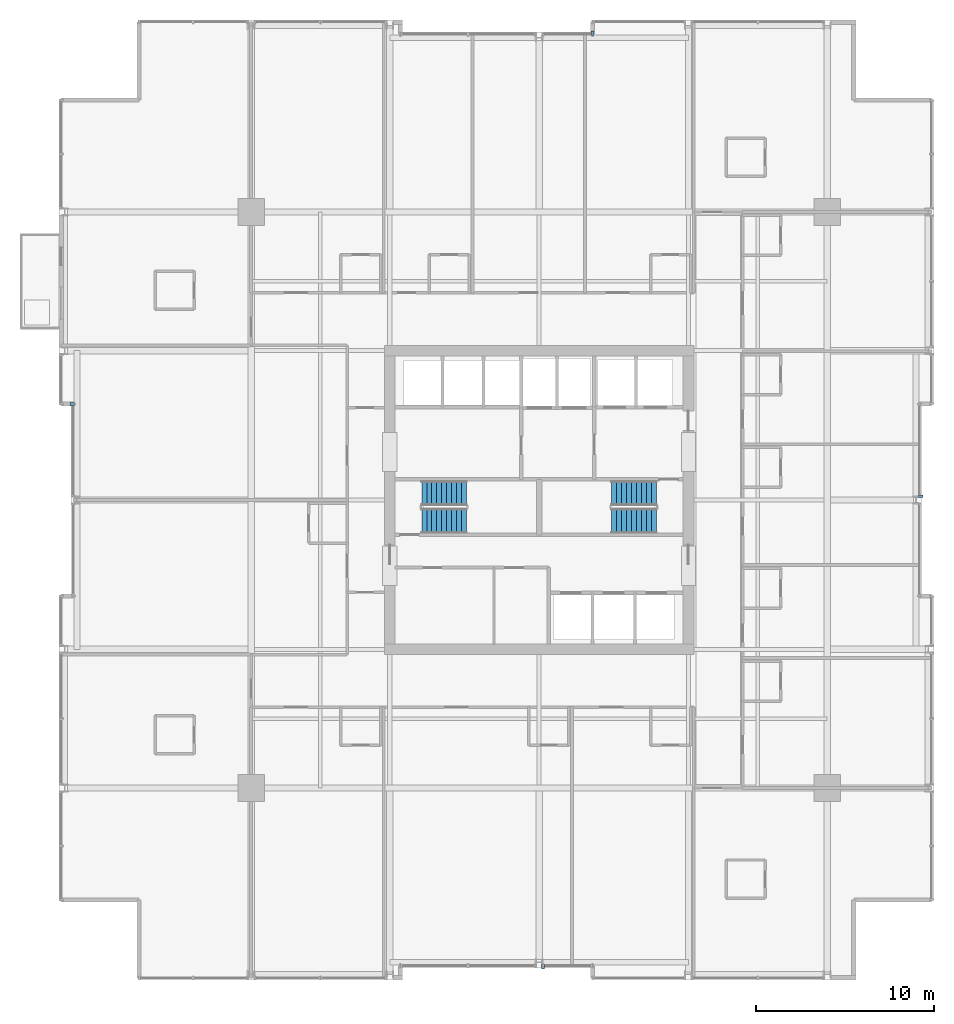
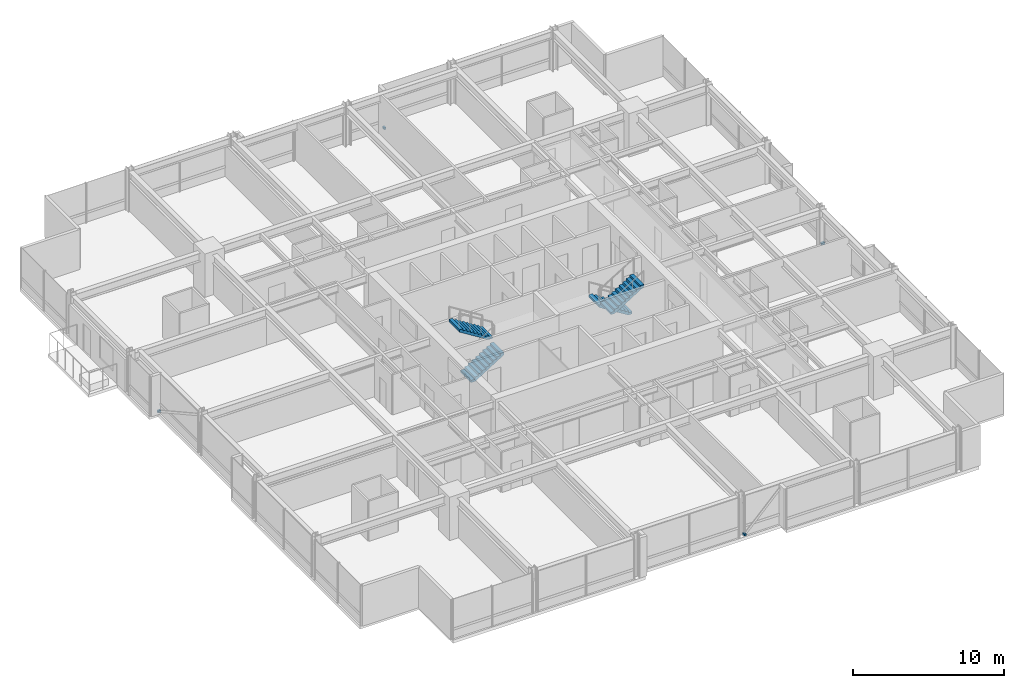
# One storey, part 32 of 35: 4 discrete accessories, 4 stair flights, 2 elements without a shape of their own.
"""IFC4 building model written with IfcOpenShell, lengths in metres."""

import ifcopenshell
import ifcopenshell.guid

model = None  # the IFC model being written
_history = None  # IfcOwnerHistory: only IFC2X3 demands one
_inside = {}  # id of a spatial element -> (the spatial element, [elements in it])
_under = {}  # id of a project, library or spatial element -> (it, [spatial elements below it])
_declared = {}  # id of a project -> (the project, [libraries it declares])
_typed = {}  # id of a type object -> (the type object, [elements of that type])
_made_of = {}  # id of a material, layer set ... -> (it, [elements and type objects made of it])


def new_model(schema):
    """Start an empty IFC model of exactly this schema.

    Asked for "IFC4X3", IfcOpenShell would pick the latest addendum, in which some entities
    have other attributes; the version numbers below select the first issue.
    IFC2X3 requires an IfcOwnerHistory on every rooted entity: one is made here for all.
    """
    global model, _history
    if schema == "IFC4X3":
        model = ifcopenshell.file(schema_version=(4, 3, 0, 0))
    else:
        model = ifcopenshell.file(schema=schema)
    _inside.clear()
    _under.clear()
    _declared.clear()
    _typed.clear()
    _made_of.clear()
    _history = None
    if model.schema == "IFC2X3":
        org = make("IfcOrganization", Name="unknown")
        user = make(
            "IfcPersonAndOrganization",
            ThePerson=make("IfcPerson", FamilyName="unknown"),
            TheOrganization=org,
        )
        app = make(
            "IfcApplication",
            ApplicationDeveloper=org,
            Version="unknown",
            ApplicationFullName="unknown",
            ApplicationIdentifier="unknown",
        )
        _history = make(
            "IfcOwnerHistory",
            OwningUser=user,
            OwningApplication=app,
            ChangeAction="ADDED",
            CreationDate=0,
        )
    return model


def make(cls, **values):
    """One entity of the class cls with the attributes given. An attribute that is None is left unset."""
    return model.create_entity(
        cls, **{name: value for name, value in values.items() if value is not None}
    )


def rooted(cls, **values):
    """An entity with a GlobalId (a new one), such as an element, a storey or a relation."""
    return make(cls, GlobalId=ifcopenshell.guid.new(), OwnerHistory=_history, **values)


def si_unit(unit_type, name, prefix=None):
    """IfcSIUnit, for example si_unit("LENGTHUNIT", "METRE", prefix="MILLI")."""
    return make("IfcSIUnit", UnitType=unit_type, Prefix=prefix, Name=name)


def assignment(units):
    """IfcUnitAssignment: the units of a project."""
    return None if units is None else make("IfcUnitAssignment", Units=units)


def point(xyz):
    """IfcCartesianPoint."""
    return None if xyz is None else make("IfcCartesianPoint", Coordinates=xyz)


def direction(xyz):
    """IfcDirection."""
    return None if xyz is None else make("IfcDirection", DirectionRatios=xyz)


def frame(location, z_axis=None, x_axis=None):
    """IfcAxis2Placement3D, a coordinate frame: its origin and axes. An axis left out is left unset."""
    return make(
        "IfcAxis2Placement3D",
        Location=point(location),
        Axis=direction(z_axis),
        RefDirection=direction(x_axis),
    )


def frame_2d(location, x_axis=None):
    """IfcAxis2Placement2D, a coordinate frame in the plane: its origin and x axis."""
    return make(
        "IfcAxis2Placement2D", Location=point(location), RefDirection=direction(x_axis)
    )


def origin():
    """The frame at (0, 0, 0) with its axes left unset."""
    return frame((0.0, 0.0, 0.0))


def origin_2d():
    """The frame at (0, 0) in the plane with its x axis left unset."""
    return frame_2d((0.0, 0.0))


def place(relative_to, where):
    """IfcLocalPlacement: puts the frame where relative to a parent placement (None: the world)."""
    return make(
        "IfcLocalPlacement", PlacementRelTo=relative_to, RelativePlacement=where
    )


def context(
    kind, dimensions, precision=None, world=None, true_north=None, identifier=None
):
    """IfcGeometricRepresentationContext, for example the 3D "Model" context."""
    return make(
        "IfcGeometricRepresentationContext",
        ContextIdentifier=identifier,
        ContextType=kind,
        CoordinateSpaceDimension=dimensions,
        Precision=precision,
        WorldCoordinateSystem=world,
        TrueNorth=true_north,
    )


def subcontext(parent, identifier, kind, view, scale=None):
    """IfcGeometricRepresentationSubContext, for example "Body" below "Model"."""
    return make(
        "IfcGeometricRepresentationSubContext",
        ContextIdentifier=identifier,
        ContextType=kind,
        ParentContext=parent,
        TargetScale=scale,
        TargetView=view,
    )


def project(units=None, contexts=None):
    """IfcProject with its units and contexts."""
    return rooted(
        "IfcProject",
        Name="project",
        RepresentationContexts=contexts,
        UnitsInContext=assignment(units),
    )


def spatial(cls, under=None, at=None, **own):
    """A site, building, storey or space (cls), placed at a placement, below another one or the project."""
    s = rooted(cls, ObjectPlacement=at, **own)
    if under is not None:
        _under.setdefault(under.id(), (under, []))[1].append(s)
    return s


def polyline(points):
    """IfcPolyline through the points."""
    return make("IfcPolyline", Points=[point(p) for p in points])


def profile(cls, at=None, kind="AREA", **sizes):
    """A parametric profile (cls). Its sizes go by their IFC names, for example OverallWidth=200.0."""
    return make(cls, ProfileType=kind, Position=at, **sizes)


def rectangle(**sizes):
    """IfcRectangleProfileDef."""
    return profile("IfcRectangleProfileDef", **sizes)


def outline(outer, holes=None, kind="AREA"):
    """IfcArbitraryClosedProfileDef: a profile drawn as a closed curve; with holes, ...WithVoids."""
    if holes is None:
        return make("IfcArbitraryClosedProfileDef", ProfileType=kind, OuterCurve=outer)
    return make(
        "IfcArbitraryProfileDefWithVoids",
        ProfileType=kind,
        OuterCurve=outer,
        InnerCurves=holes,
    )


def extrude(swept, where, along, depth):
    """IfcExtrudedAreaSolid: the profile swept, set in the frame where, extruded along a direction by depth."""
    return make(
        "IfcExtrudedAreaSolid",
        SweptArea=swept,
        Position=where,
        ExtrudedDirection=direction(along),
        Depth=depth,
    )


def shape(context_of_items, identifier, shape_type, items):
    """IfcShapeRepresentation: the items that make up one representation, for example the "Body"."""
    return make(
        "IfcShapeRepresentation",
        ContextOfItems=context_of_items,
        RepresentationIdentifier=identifier,
        RepresentationType=shape_type,
        Items=items,
    )


def material(Name=None, Category=None):
    """IfcMaterial."""
    return make("IfcMaterial", Name=Name, Category=Category)


def made_of(thing, what):
    """Note that an element or type object is made of a material, layer set ...; save() writes the relation."""
    if what is not None:
        _made_of.setdefault(what.id(), (what, []))[1].append(thing)
    return thing


def type_object(cls, material=None, **own):
    """A type object (cls), such as IfcWallType, which elements share."""
    return made_of(rooted(cls, **own), material)


def element(
    cls,
    number,
    at=None,
    inside=None,
    cuts=None,
    type_object=None,
    material=None,
    context=None,
    identifier="Body",
    shape_type=None,
    held_by="IfcProductDefinitionShape",
    body=None,
    shapes=None,
    **own,
):
    """One element of the class cls, such as IfcWall. Its Tag is "e" and its number.

    at: its placement. inside: the storey or other place that contains it. cuts: it is an
    opening in that element (IfcRelVoidsElement). A single representation is given by context,
    identifier, shape_type and body (its items); several are given by shapes. held_by: the class
    of the entity that holds the representations. save() writes the other relations.
    """
    e = rooted(cls, Tag="e%d" % number, ObjectPlacement=at, **own)
    if body is not None:
        shapes = [shape(context, identifier, shape_type, body)]
    if shapes is not None:
        e.Representation = make(held_by, Representations=shapes)
    if inside is not None:
        _inside.setdefault(inside.id(), (inside, []))[1].append(e)
    if cuts is not None:
        rooted(
            "IfcRelVoidsElement", RelatingBuildingElement=cuts, RelatedOpeningElement=e
        )
    if type_object is not None:
        _typed.setdefault(type_object.id(), (type_object, []))[1].append(e)
    return made_of(e, material)


def aggregate(whole, parts):
    """IfcRelAggregates: a whole, such as a stair, and the parts it consists of."""
    return rooted("IfcRelAggregates", RelatingObject=whole, RelatedObjects=parts)


def save(model, path):
    """Write the relations noted so far, then the file.

    IfcRelAggregates (storeys below a building ...), IfcRelContainedInSpatialStructure (elements
    in a storey), IfcRelDefinesByType, IfcRelAssociatesMaterial and IfcRelDeclares: one each for
    every whole, place, type object, material and project.
    """
    for whole, parts in _under.values():
        aggregate(whole, parts)
    for where, things in _inside.values():
        rooted(
            "IfcRelContainedInSpatialStructure",
            RelatedElements=things,
            RelatingStructure=where,
        )
    for kind, things in _typed.values():
        rooted("IfcRelDefinesByType", RelatedObjects=things, RelatingType=kind)
    for what, things in _made_of.values():
        rooted("IfcRelAssociatesMaterial", RelatedObjects=things, RelatingMaterial=what)
    for by, libraries in _declared.values():
        rooted("IfcRelDeclares", RelatingContext=by, RelatedDefinitions=libraries)
    model.write(path)


model = new_model("IFC4")

# Units and contexts
model_context = context("Model", 3, precision=1e-05, world=origin(), true_north=direction((0.0, 1.0)))
body_context = subcontext(model_context, "Body", "Model", "MODEL_VIEW")
ifc_project = project(units=[si_unit("LENGTHUNIT", "METRE"), si_unit("AREAUNIT", "SQUARE_METRE"), si_unit("VOLUMEUNIT", "CUBIC_METRE"), si_unit("PLANEANGLEUNIT", "RADIAN"), si_unit("MASSUNIT", "GRAM", prefix="KILO")], contexts=[model_context])

# Site, building, storey
site_placement = place(None, origin())
site = spatial("IfcSite", under=ifc_project, at=site_placement, CompositionType="ELEMENT")
building_placement = place(site_placement, origin())
building = spatial("IfcBuilding", under=site, at=building_placement, Name="Drelvath Grand Hotel", CompositionType="ELEMENT")
storey_placement = place(building_placement, frame((0.0, 0.0, 123.300048828125)))
storey = spatial("IfcBuildingStorey", under=building, at=storey_placement, Name="L31", CompositionType="ELEMENT", Elevation=123.300048828125)

# Stair, stair flights
ifc_material_1 = material(Name="Concrete C40/50", Category="concrete")
stair_type = type_object("IfcStairType", Name="Dogleg Exit Stair W1400-R175.0", PredefinedType="HALF_TURN_STAIR", material=ifc_material_1)
stair_1_placement = place(storey_placement, origin())
stair_1 = element("IfcStair", 1, at=stair_1_placement, inside=storey, type_object=stair_type, Name="L31 Core Exit Stair ST-1", PredefinedType="HALF_TURN_STAIR")
stair_flight_type = type_object("IfcStairFlightType", Name="Concrete Stair Flight W1400-R175.0", PredefinedType="STRAIGHT", material=ifc_material_1)
stair_flight_1_placement = place(storey_placement, frame((-6.60009765625, 25.820068359375, 0.0), z_axis=(0.0, 0.0, 1.0), x_axis=(1.0, 0.0, 0.0)))
stair_flight_1 = element("IfcStairFlight", 2, at=stair_flight_1_placement, type_object=stair_flight_type, Name="ST-1 flight 1", NumberOfRisers=10, NumberOfTreads=9, PredefinedType="STRAIGHT", RiserHeight=0.175, TreadLength=0.28, context=body_context, shape_type="SweptSolid", body=[
    extrude(outline(polyline([(0.0, 0.0), (0.0, 0.175048828125), (0.280029296875, 0.175048828125), (0.280029296875, 0.35009765625), (0.56005859375, 0.35009765625), (0.56005859375, 0.52490234375), (0.840087890625, 0.52490234375), (0.840087890625, 0.699951171875), (1.1201171875, 0.699951171875), (1.1201171875, 0.875), (1.39990234375, 0.875), (1.39990234375, 1.050048828125), (1.679931640625, 1.050048828125), (1.679931640625, 1.22509765625), (1.9599609375, 1.22509765625), (1.9599609375, 1.39990234375), (2.239990234375, 1.39990234375), (2.239990234375, 1.574951171875), (2.52001953125, 1.574951171875), (2.52001953125, 1.75), (2.52001953125, 1.386474609375), (0.3017578125, 0.0), (0.0, 0.0)])), frame((0.0, 0.699951171875, 0.0), z_axis=(0.0, -1.0, 0.0), x_axis=(1.0, 0.0, 0.0)), (0.0, 0.0, 1.0), 1.39990234375),
])
stair_flight_2_placement = place(storey_placement, frame((-4.080078125, 27.3798828125, 1.75), z_axis=(0.0, 0.0, 1.0), x_axis=(-1.0, 0.0, 0.0)))
stair_flight_2 = element("IfcStairFlight", 3, at=stair_flight_2_placement, type_object=stair_flight_type, Name="ST-1 flight 2", NumberOfRisers=10, NumberOfTreads=9, PredefinedType="STRAIGHT", RiserHeight=0.175, TreadLength=0.28, context=body_context, shape_type="SweptSolid", body=[
    extrude(outline(polyline([(0.0, 0.0), (0.0, 0.175048828125), (0.280029296875, 0.175048828125), (0.280029296875, 0.35009765625), (0.56005859375, 0.35009765625), (0.56005859375, 0.52490234375), (0.840087890625, 0.52490234375), (0.840087890625, 0.699951171875), (1.1201171875, 0.699951171875), (1.1201171875, 0.875), (1.39990234375, 0.875), (1.39990234375, 1.050048828125), (1.679931640625, 1.050048828125), (1.679931640625, 1.22509765625), (1.9599609375, 1.22509765625), (1.9599609375, 1.39990234375), (2.239990234375, 1.39990234375), (2.239990234375, 1.574951171875), (2.52001953125, 1.574951171875), (2.52001953125, 1.75), (2.52001953125, 1.386474609375), (0.3017578125, 0.0), (0.0, 0.0)])), frame((0.0, 0.699951171875, 0.0), z_axis=(0.0, -1.0, 0.0), x_axis=(1.0, 0.0, 0.0)), (0.0, 0.0, 1.0), 1.39990234375),
])
aggregate(stair_1, [stair_flight_1, stair_flight_2])

stair_2_placement = place(storey_placement, origin())
stair_2 = element("IfcStair", 4, at=stair_2_placement, inside=storey, type_object=stair_type, Name="L31 Core Exit Stair ST-2", PredefinedType="HALF_TURN_STAIR")
stair_flight_3_placement = place(storey_placement, frame((6.60009765625, 27.3798828125, 0.0), z_axis=(0.0, 0.0, 1.0), x_axis=(-1.0, 0.0, 0.0)))
stair_flight_3 = element("IfcStairFlight", 5, at=stair_flight_3_placement, type_object=stair_flight_type, Name="ST-2 flight 1", NumberOfRisers=10, NumberOfTreads=9, PredefinedType="STRAIGHT", RiserHeight=0.175, TreadLength=0.28, context=body_context, shape_type="SweptSolid", body=[
    extrude(outline(polyline([(0.0, 0.0), (0.0, 0.175048828125), (0.280029296875, 0.175048828125), (0.280029296875, 0.35009765625), (0.56005859375, 0.35009765625), (0.56005859375, 0.52490234375), (0.840087890625, 0.52490234375), (0.840087890625, 0.699951171875), (1.1201171875, 0.699951171875), (1.1201171875, 0.875), (1.39990234375, 0.875), (1.39990234375, 1.050048828125), (1.679931640625, 1.050048828125), (1.679931640625, 1.22509765625), (1.9599609375, 1.22509765625), (1.9599609375, 1.39990234375), (2.239990234375, 1.39990234375), (2.239990234375, 1.574951171875), (2.52001953125, 1.574951171875), (2.52001953125, 1.75), (2.52001953125, 1.386474609375), (0.3017578125, 0.0), (0.0, 0.0)])), frame((0.0, 0.699951171875, 0.0), z_axis=(0.0, -1.0, 0.0), x_axis=(1.0, 0.0, 0.0)), (0.0, 0.0, 1.0), 1.39990234375),
])
stair_flight_4_placement = place(storey_placement, frame((4.080078125, 25.820068359375, 1.75), z_axis=(0.0, 0.0, 1.0), x_axis=(1.0, 0.0, 0.0)))
stair_flight_4 = element("IfcStairFlight", 6, at=stair_flight_4_placement, type_object=stair_flight_type, Name="ST-2 flight 2", NumberOfRisers=10, NumberOfTreads=9, PredefinedType="STRAIGHT", RiserHeight=0.175, TreadLength=0.28, context=body_context, shape_type="SweptSolid", body=[
    extrude(outline(polyline([(0.0, 0.0), (0.0, 0.175048828125), (0.280029296875, 0.175048828125), (0.280029296875, 0.35009765625), (0.56005859375, 0.35009765625), (0.56005859375, 0.52490234375), (0.840087890625, 0.52490234375), (0.840087890625, 0.699951171875), (1.1201171875, 0.699951171875), (1.1201171875, 0.875), (1.39990234375, 0.875), (1.39990234375, 1.050048828125), (1.679931640625, 1.050048828125), (1.679931640625, 1.22509765625), (1.9599609375, 1.22509765625), (1.9599609375, 1.39990234375), (2.239990234375, 1.39990234375), (2.239990234375, 1.574951171875), (2.52001953125, 1.574951171875), (2.52001953125, 1.75), (2.52001953125, 1.386474609375), (0.3017578125, 0.0), (0.0, 0.0)])), frame((0.0, 0.699951171875, 0.0), z_axis=(0.0, -1.0, 0.0), x_axis=(1.0, 0.0, 0.0)), (0.0, 0.0, 1.0), 1.39990234375),
])
aggregate(stair_2, [stair_flight_3, stair_flight_4])

# Discrete accessories
ifc_material_2 = material(Name="Stainless Steel Grade 316", Category="steel")
discrete_accessory_type = type_object("IfcDiscreteAccessoryType", Name="Curtain Wall Fin Mounting Bracket Cleat", PredefinedType="BRACKET", material=ifc_material_2)
for number, where, z_axis, x_axis, name in (
    (7, (-26.260009765625, 32.39990234375, 0.10009765625), (0.0, 0.0, 1.0), (0.0, 1.0, 0.0), "L31 Fin Mounting Bracket CW03-L31-WM2-1"),
    (8, (21.4599609375, 27.20947265625, 0.10009765625), (0.0, 0.0, 1.0), (0.0, -1.0, 0.0), "L31 Fin Mounting Bracket CW03-L31-EM2-1"),
    (9, (3.0, 53.260009765625, 0.10009765625), (0.0, 0.0, 1.0), (1.0, 0.0, 0.0), "L31 Fin Mounting Bracket CW03-L31-NM2-1"),
    (10, (0.20947265625, 0.739990234375, 0.10009765625), (0.0, 0.0, 1.0), (-1.0, 0.0, 0.0), "L31 Fin Mounting Bracket CW03-L31-SM2-1"),
):
    element("IfcDiscreteAccessory", number, at=place(storey_placement, frame(where, z_axis=z_axis, x_axis=x_axis)), inside=storey, type_object=discrete_accessory_type, Name=name, PredefinedType="BRACKET", context=body_context, shape_type="SweptSolid", body=[
        extrude(rectangle(XDim=0.159912109375, YDim=0.239990234375, at=origin_2d()), origin(), (0.0, 0.0, 1.0), 0.159912109375),
    ])

save(model, "model.ifc")
